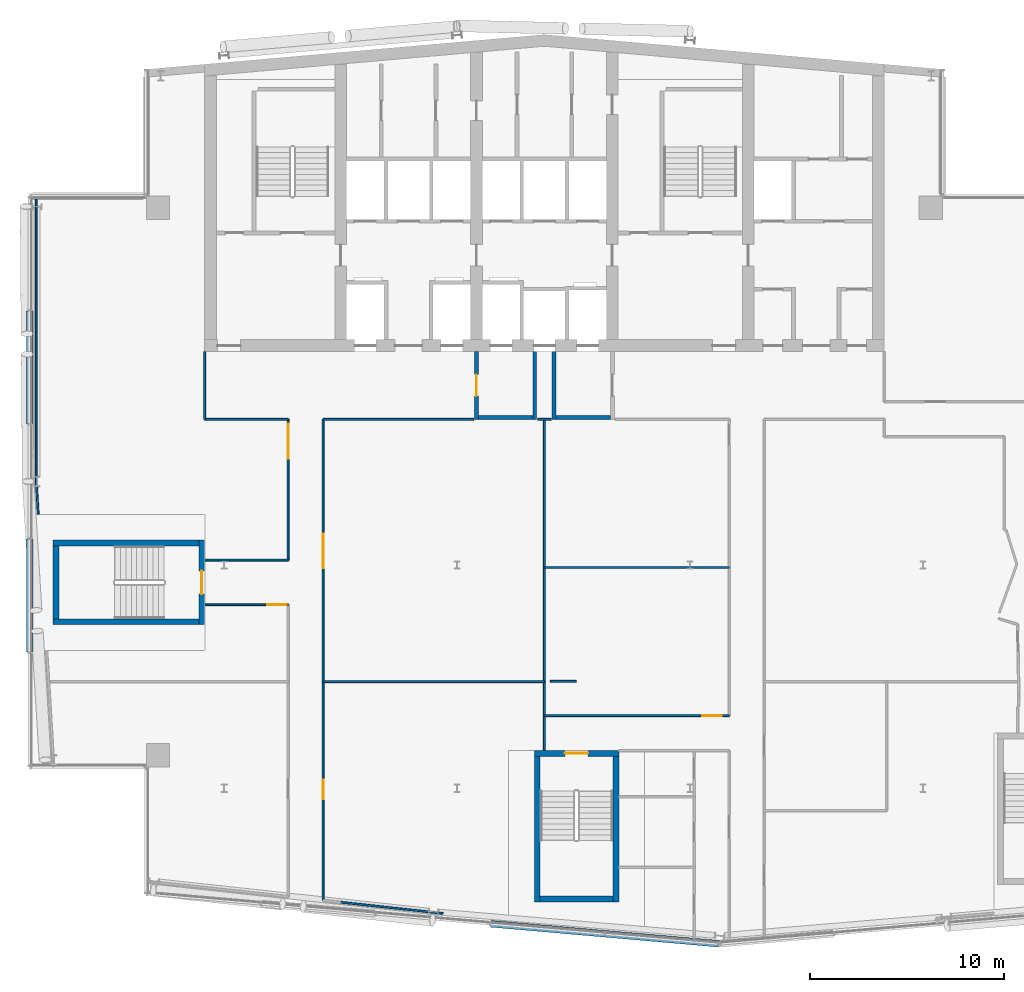
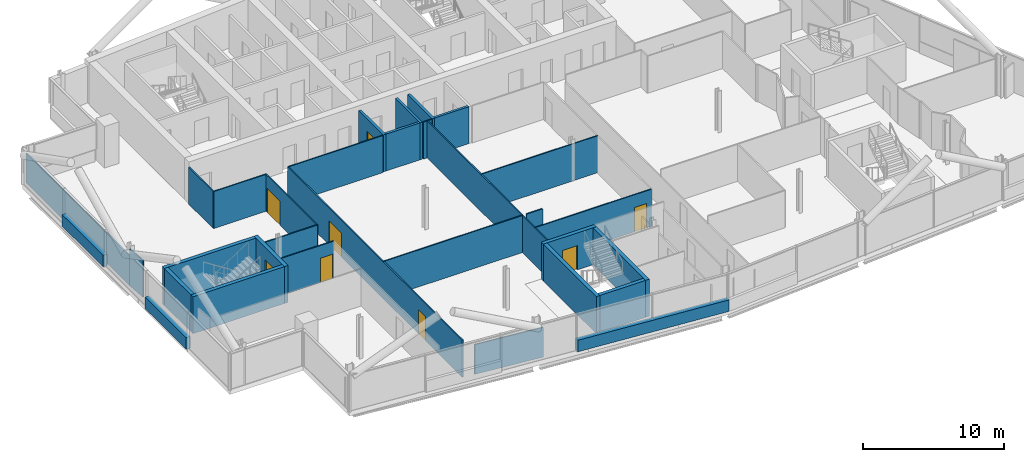
# One storey, part 15 of 28: 32 walls, 8 doors, 8 openings.
"""IFC4 building model written with IfcOpenShell, lengths in metres."""

from ifc_helpers import new_model, si_unit, direction, frame, frame_2d, origin, place, context, subcontext, project, spatial, rectangle, extrude, material, layer, layer_set, type_object, element, fill, save


model = new_model("IFC4")

# Units and contexts
model_context = context("Model", 3, precision=1e-05, world=origin(), true_north=direction((0.0, 1.0)))
body_context = subcontext(model_context, "Body", "Model", "MODEL_VIEW")
ifc_project = project(units=[si_unit("LENGTHUNIT", "METRE"), si_unit("AREAUNIT", "SQUARE_METRE"), si_unit("VOLUMEUNIT", "CUBIC_METRE"), si_unit("PLANEANGLEUNIT", "RADIAN"), si_unit("MASSUNIT", "GRAM", prefix="KILO")], contexts=[model_context])

# Site, building, storey
site_placement = place(None, origin())
site = spatial("IfcSite", under=ifc_project, at=site_placement, CompositionType="ELEMENT")
building_placement = place(site_placement, origin())
building = spatial("IfcBuilding", under=site, at=building_placement, Name="Wharfspan Tower", CompositionType="ELEMENT")
storey_placement = place(building_placement, frame((0.0, 0.0, 250.300049)))
storey = spatial("IfcBuildingStorey", under=building, at=storey_placement, Name="L63", CompositionType="ELEMENT", Elevation=250.300049)

# Walls
ifc_material_1 = material(Name="Gypsum board on steel studs", Category="steel")
ifc_layer_1 = layer(ifc_material_1, 0.100098)
ifc_layer_set_1 = layer_set([ifc_layer_1], Name="Gypsum board on steel studs")
wall_type_1 = type_object("IfcWallType", Name="Compartment wall 100 EI 60", PredefinedType="PARTITIONING", material=ifc_layer_set_1)
wall_1_placement = place(storey_placement, frame((23.0, 30.5, 0.0), z_axis=(0.0, 0.0, 1.0), x_axis=(0.0, 1.0, 0.0)))
element("IfcWall", 1, at=wall_1_placement, inside=storey, type_object=wall_type_1, Name="Partition L63.w006", PredefinedType="PARTITIONING", context=body_context, shape_type="SweptSolid", body=[
    extrude(rectangle(XDim=3.47998, YDim=0.100098, at=frame_2d((1.73999, 0.0))), origin(), (0.0, 0.0, 1.0), 3.199951),
])
wall_2_placement = place(storey_placement, frame((23.0, 30.5, 0.0), z_axis=(0.0, 0.0, 1.0), x_axis=(1.0, 0.0, 0.0)))
element("IfcWall", 2, at=wall_2_placement, inside=storey, type_object=wall_type_1, Name="Partition L63.w007", PredefinedType="PARTITIONING", context=body_context, shape_type="SweptSolid", body=[
    extrude(rectangle(XDim=4.300049, YDim=0.100098, at=frame_2d((2.149902, 0.0))), origin(), (0.0, 0.0, 1.0), 3.199951),
])

# Wall, opening, door
wall_3_placement = place(storey_placement, frame((23.02002, 20.949951, 0.0), z_axis=(0.0, 0.0, 1.0), x_axis=(1.0, 0.0, 0.0)))
wall_3 = element("IfcWall", 3, at=wall_3_placement, inside=storey, type_object=wall_type_1, Name="Partition L63.w008", PredefinedType="PARTITIONING", context=body_context, shape_type="SweptSolid", body=[
    extrude(rectangle(XDim=4.280029, YDim=0.100098, at=frame_2d((2.140137, 0.0))), origin(), (0.0, 0.0, 1.0), 3.199951),
])
opening_1_placement = place(wall_3_placement, frame((3.199951, 0.0, 0.0)))
opening_1 = element("IfcOpeningElement", 4, at=opening_1_placement, cuts=wall_3, Name="Opening D6-13", PredefinedType="OPENING", context=body_context, shape_type="SweptSolid", body=[
    extrude(rectangle(XDim=1.0, YDim=2.100098, at=frame_2d((0.5, 1.050049))), frame((0.0, 0.060059, 0.0), z_axis=(0.0, -1.0, 0.0), x_axis=(1.0, 0.0, 0.0)), (0.0, 0.0, 1.0), 0.120117),
])
ifc_material_2 = material(Name="Fire-rated timber door leaf in steel frame", Category="steel")
door_type_1 = type_object("IfcDoorType", Name="Door 1000 FD30S Right", OperationType="SINGLE_SWING_RIGHT", PredefinedType="DOOR", material=ifc_material_2)
door_1_placement = place(opening_1_placement, origin())
door_1 = element("IfcDoor", 5, at=door_1_placement, inside=storey, type_object=door_type_1, Name="Door D6-13", OperationType="SINGLE_SWING_RIGHT", OverallHeight=2.100098, OverallWidth=1.0, PredefinedType="DOOR", context=body_context, shape_type="SweptSolid", body=[
    extrude(rectangle(XDim=1.0, YDim=2.100098, at=frame_2d((0.5, 1.050049))), frame((0.0, 0.024902, 0.0), z_axis=(0.0, -1.0, 0.0), x_axis=(1.0, 0.0, 0.0)), (0.0, 0.0, 1.0), 0.050049),
])
fill(opening_1, door_1)

# Wall
wall_4_placement = place(storey_placement, frame((23.02002, 23.25, 0.0), z_axis=(0.0, 0.0, 1.0), x_axis=(1.0, 0.0, 0.0)))
element("IfcWall", 6, at=wall_4_placement, inside=storey, type_object=wall_type_1, Name="Partition L63.w009", PredefinedType="PARTITIONING", context=body_context, shape_type="SweptSolid", body=[
    extrude(rectangle(XDim=4.274902, YDim=0.100098, at=frame_2d((2.137451, 0.0))), origin(), (0.0, 0.0, 1.0), 3.199951),
])

# Wall, opening, door
wall_5_placement = place(storey_placement, frame((27.300049, 23.25, 0.0), z_axis=(0.0, 0.0, 1.0), x_axis=(0.0, 1.0, 0.0)))
wall_5 = element("IfcWall", 7, at=wall_5_placement, inside=storey, type_object=wall_type_1, Name="Partition L63.w011", PredefinedType="PARTITIONING", context=body_context, shape_type="SweptSolid", body=[
    extrude(rectangle(XDim=7.25, YDim=0.100098, at=frame_2d((3.625, 0.0))), origin(), (0.0, 0.0, 1.0), 3.199951),
])
opening_2_placement = place(wall_5_placement, frame((5.22998, 0.0, 0.0)))
opening_2 = element("IfcOpeningElement", 8, at=opening_2_placement, cuts=wall_5, Name="Opening D6-15", PredefinedType="OPENING", context=body_context, shape_type="SweptSolid", body=[
    extrude(rectangle(XDim=1.800049, YDim=2.100098, at=frame_2d((0.899902, 1.050049))), frame((0.0, 0.060059, 0.0), z_axis=(0.0, -1.0, 0.0), x_axis=(1.0, 0.0, 0.0)), (0.0, 0.0, 1.0), 0.120117),
])
door_type_2 = type_object("IfcDoorType", Name="Door 1800 FD30S Double", OperationType="DOUBLE_DOOR_SINGLE_SWING", PredefinedType="DOOR", material=ifc_material_2)
door_2_placement = place(opening_2_placement, origin())
door_2 = element("IfcDoor", 9, at=door_2_placement, inside=storey, type_object=door_type_2, Name="Door D6-15", OperationType="DOUBLE_DOOR_SINGLE_SWING", OverallHeight=2.100098, OverallWidth=1.800049, PredefinedType="DOOR", context=body_context, shape_type="SweptSolid", body=[
    extrude(rectangle(XDim=1.800049, YDim=2.100098, at=frame_2d((0.899902, 1.050049))), frame((0.0, 0.024902, 0.0), z_axis=(0.0, -1.0, 0.0), x_axis=(1.0, 0.0, 0.0)), (0.0, 0.0, 1.0), 0.050049),
])
fill(opening_2, door_2)

# Wall, openings, doors
wall_6_placement = place(storey_placement, frame((29.100098, 5.725098, 0.0), z_axis=(0.0, 0.0, 1.0), x_axis=(0.0, 1.0, 0.0)))
wall_6 = element("IfcWall", 10, at=wall_6_placement, inside=storey, type_object=wall_type_1, Name="Partition L63.w013", PredefinedType="PARTITIONING", context=body_context, shape_type="SweptSolid", body=[
    extrude(rectangle(XDim=24.774902, YDim=0.100098, at=frame_2d((12.387451, 0.0))), origin(), (0.0, 0.0, 1.0), 3.199951),
])
opening_3_placement = place(wall_6_placement, frame((5.219971, 0.0, 0.0)))
opening_3 = element("IfcOpeningElement", 11, at=opening_3_placement, cuts=wall_6, Name="Opening D6-06", PredefinedType="OPENING", context=body_context, shape_type="SweptSolid", body=[
    extrude(rectangle(XDim=1.0, YDim=2.100098, at=frame_2d((0.5, 1.050049))), frame((0.0, 0.060059, 0.0), z_axis=(0.0, -1.0, 0.0), x_axis=(1.0, 0.0, 0.0)), (0.0, 0.0, 1.0), 0.120117),
])
opening_4_placement = place(wall_6_placement, frame((17.094971, 0.0, 0.0)))
opening_4 = element("IfcOpeningElement", 12, at=opening_4_placement, cuts=wall_6, Name="Opening D6-14", PredefinedType="OPENING", context=body_context, shape_type="SweptSolid", body=[
    extrude(rectangle(XDim=1.800049, YDim=2.100098, at=frame_2d((0.899902, 1.050049))), frame((0.0, 0.060059, 0.0), z_axis=(0.0, -1.0, 0.0), x_axis=(1.0, 0.0, 0.0)), (0.0, 0.0, 1.0), 0.120117),
])
door_type_3 = type_object("IfcDoorType", Name="Door 1000 FD30S Left", OperationType="SINGLE_SWING_LEFT", PredefinedType="DOOR", material=ifc_material_2)
door_3_placement = place(opening_3_placement, origin())
door_3 = element("IfcDoor", 13, at=door_3_placement, inside=storey, type_object=door_type_3, Name="Door D6-06", OperationType="SINGLE_SWING_LEFT", OverallHeight=2.100098, OverallWidth=1.0, PredefinedType="DOOR", context=body_context, shape_type="SweptSolid", body=[
    extrude(rectangle(XDim=1.0, YDim=2.100098, at=frame_2d((0.5, 1.050049))), frame((0.0, 0.024902, 0.0), z_axis=(0.0, -1.0, 0.0), x_axis=(1.0, 0.0, 0.0)), (0.0, 0.0, 1.0), 0.050049),
])
fill(opening_3, door_3)
door_4_placement = place(opening_4_placement, origin())
door_4 = element("IfcDoor", 14, at=door_4_placement, inside=storey, type_object=door_type_2, Name="Door D6-14", OperationType="DOUBLE_DOOR_SINGLE_SWING", OverallHeight=2.100098, OverallWidth=1.800049, PredefinedType="DOOR", context=body_context, shape_type="SweptSolid", body=[
    extrude(rectangle(XDim=1.800049, YDim=2.100098, at=frame_2d((0.899902, 1.050049))), frame((0.0, 0.024902, 0.0), z_axis=(0.0, -1.0, 0.0), x_axis=(1.0, 0.0, 0.0)), (0.0, 0.0, 1.0), 0.050049),
])
fill(opening_4, door_4)

# Walls
wall_7_placement = place(storey_placement, frame((29.100098, 16.995117, 0.0), z_axis=(0.0, 0.0, 1.0), x_axis=(1.0, 0.0, 0.0)))
element("IfcWall", 15, at=wall_7_placement, inside=storey, type_object=wall_type_1, Name="Partition L63.w014", PredefinedType="PARTITIONING", context=body_context, shape_type="SweptSolid", body=[
    extrude(rectangle(XDim=11.399902, YDim=0.100098, at=frame_2d((5.699951, 0.0))), origin(), (0.0, 0.0, 1.0), 3.199951),
])
wall_8_placement = place(storey_placement, frame((29.100098, 30.5, 0.0), z_axis=(0.0, 0.0, 1.0), x_axis=(1.0, 0.0, 0.0)))
element("IfcWall", 16, at=wall_8_placement, inside=storey, type_object=wall_type_1, Name="Partition L63.w015", PredefinedType="PARTITIONING", context=body_context, shape_type="SweptSolid", body=[
    extrude(rectangle(XDim=7.75, YDim=0.100098, at=frame_2d((3.875, 0.0))), origin(), (0.0, 0.0, 1.0), 3.199951),
])
wall_9_placement = place(storey_placement, frame((40.5, 13.463135, 0.0), z_axis=(0.0, 0.0, 1.0), x_axis=(0.0, 1.0, 0.0)))
element("IfcWall", 17, at=wall_9_placement, inside=storey, type_object=wall_type_1, Name="Partition L63.w018", PredefinedType="PARTITIONING", context=body_context, shape_type="SweptSolid", body=[
    extrude(rectangle(XDim=17.036865, YDim=0.100098, at=frame_2d((8.518555, 0.0))), origin(), (0.0, 0.0, 1.0), 3.199951),
])

# Wall, opening, door
wall_10_placement = place(storey_placement, frame((40.5, 15.245117, 0.0), z_axis=(0.0, 0.0, 1.0), x_axis=(1.0, 0.0, 0.0)))
wall_10 = element("IfcWall", 18, at=wall_10_placement, inside=storey, type_object=wall_type_1, Name="Partition L63.w019", PredefinedType="PARTITIONING", context=body_context, shape_type="SweptSolid", body=[
    extrude(rectangle(XDim=9.52002, YDim=0.100098, at=frame_2d((4.76001, 0.0))), origin(), (0.0, 0.0, 1.0), 3.199951),
])
opening_5_placement = place(wall_10_placement, frame((8.125, 0.0, 0.0)))
opening_5 = element("IfcOpeningElement", 19, at=opening_5_placement, cuts=wall_10, Name="Opening D6-10", PredefinedType="OPENING", context=body_context, shape_type="SweptSolid", body=[
    extrude(rectangle(XDim=1.0, YDim=2.100098, at=frame_2d((0.5, 1.050049))), frame((0.0, 0.060059, 0.0), z_axis=(0.0, -1.0, 0.0), x_axis=(1.0, 0.0, 0.0)), (0.0, 0.0, 1.0), 0.120117),
])
door_5_placement = place(opening_5_placement, origin())
door_5 = element("IfcDoor", 20, at=door_5_placement, inside=storey, type_object=door_type_1, Name="Door D6-10", OperationType="SINGLE_SWING_RIGHT", OverallHeight=2.100098, OverallWidth=1.0, PredefinedType="DOOR", context=body_context, shape_type="SweptSolid", body=[
    extrude(rectangle(XDim=1.0, YDim=2.100098, at=frame_2d((0.5, 1.050049))), frame((0.0, 0.024902, 0.0), z_axis=(0.0, -1.0, 0.0), x_axis=(1.0, 0.0, 0.0)), (0.0, 0.0, 1.0), 0.050049),
])
fill(opening_5, door_5)

# Walls
wall_11_placement = place(storey_placement, frame((40.5, 22.870117, 0.0), z_axis=(0.0, 0.0, 1.0), x_axis=(1.0, 0.0, 0.0)))
element("IfcWall", 21, at=wall_11_placement, inside=storey, type_object=wall_type_1, Name="Partition L63.w020", PredefinedType="PARTITIONING", context=body_context, shape_type="SweptSolid", body=[
    extrude(rectangle(XDim=9.52002, YDim=0.100098, at=frame_2d((4.76001, 0.0))), origin(), (0.0, 0.0, 1.0), 3.199951),
])
wall_12_placement = place(storey_placement, frame((40.149902, 30.5, 0.0), z_axis=(0.0, 0.0, 1.0), x_axis=(1.0, 0.0, 0.0)))
element("IfcWall", 22, at=wall_12_placement, inside=storey, type_object=wall_type_1, Name="Partition L63.w015 (2)", PredefinedType="PARTITIONING", context=body_context, shape_type="SweptSolid", body=[
    extrude(rectangle(XDim=0.700195, YDim=0.100098, at=frame_2d((0.350098, 0.0))), origin(), (0.0, 0.0, 1.0), 3.199951),
])

# Wall, opening, door
ifc_material_3 = material(Name="Concrete C30/37", Category="concrete")
ifc_layer_2 = layer(ifc_material_3, 0.199951)
ifc_layer_set_2 = layer_set([ifc_layer_2], Name="Concrete C30/37")
wall_type_2 = type_object("IfcWallType", Name="Lobby wall 200", PredefinedType="PARTITIONING", material=ifc_layer_set_2)
wall_13_placement = place(storey_placement, frame((37.0, 30.5, 0.0), z_axis=(0.0, 0.0, 1.0), x_axis=(0.0, 1.0, 0.0)))
wall_13 = element("IfcWall", 23, at=wall_13_placement, inside=storey, type_object=wall_type_2, Name="sw:L63:FLFF1W", PredefinedType="PARTITIONING", context=body_context, shape_type="SweptSolid", body=[
    extrude(rectangle(XDim=3.5, YDim=0.199951, at=frame_2d((1.75, 0.0))), origin(), (0.0, 0.0, 1.0), 3.199951),
])
opening_6_placement = place(wall_13_placement, frame((1.199951, 0.0, 0.0)))
opening_6 = element("IfcOpeningElement", 24, at=opening_6_placement, cuts=wall_13, Name="Opening FL.FF1.L63", PredefinedType="OPENING", context=body_context, shape_type="SweptSolid", body=[
    extrude(rectangle(XDim=1.100098, YDim=2.100098, at=frame_2d((0.550049, 1.050049))), frame((0.0, 0.109863, 0.0), z_axis=(0.0, -1.0, 0.0), x_axis=(1.0, 0.0, 0.0)), (0.0, 0.0, 1.0), 0.219971),
])
ifc_material_4 = material(Name="Steel door leaf", Category="steel")
door_type_4 = type_object("IfcDoorType", Name="Firefighting lobby door 1100x2100", OperationType="SINGLE_SWING_LEFT", PredefinedType="DOOR", material=ifc_material_4)
door_6_placement = place(opening_6_placement, origin())
door_6 = element("IfcDoor", 25, at=door_6_placement, inside=storey, type_object=door_type_4, Name="fd:L63:FF1", OperationType="SINGLE_SWING_LEFT", OverallHeight=2.100098, OverallWidth=1.100098, PredefinedType="DOOR", context=body_context, shape_type="SweptSolid", body=[
    extrude(rectangle(XDim=1.100098, YDim=2.100098, at=frame_2d((0.550049, 1.050049))), frame((0.0, 0.024902, 0.0), z_axis=(0.0, -1.0, 0.0), x_axis=(1.0, 0.0, 0.0)), (0.0, 0.0, 1.0), 0.050049),
])
fill(opening_6, door_6)

# Walls
wall_14_placement = place(storey_placement, frame((40.0, 30.5, 0.0), z_axis=(0.0, 0.0, 1.0), x_axis=(0.0, 1.0, 0.0)))
element("IfcWall", 26, at=wall_14_placement, inside=storey, type_object=wall_type_2, Name="sw:L63:FLFF1E", PredefinedType="PARTITIONING", context=body_context, shape_type="SweptSolid", body=[
    extrude(rectangle(XDim=3.5, YDim=0.199951, at=frame_2d((1.75, 0.0))), origin(), (0.0, 0.0, 1.0), 3.199951),
])
wall_15_placement = place(storey_placement, frame((37.100098, 30.600098, 0.0), z_axis=(0.0, 0.0, 1.0), x_axis=(1.0, 0.0, 0.0)))
element("IfcWall", 27, at=wall_15_placement, inside=storey, type_object=wall_type_2, Name="sw:L63:FLFF1F", PredefinedType="PARTITIONING", context=body_context, shape_type="SweptSolid", body=[
    extrude(rectangle(XDim=2.799805, YDim=0.199951, at=frame_2d((1.399902, 0.0))), origin(), (0.0, 0.0, 1.0), 3.199951),
])
wall_16_placement = place(storey_placement, frame((41.0, 30.5, 0.0), z_axis=(0.0, 0.0, 1.0), x_axis=(0.0, 1.0, 0.0)))
element("IfcWall", 28, at=wall_16_placement, inside=storey, type_object=wall_type_2, Name="sw:L63:FLFF2W", PredefinedType="PARTITIONING", context=body_context, shape_type="SweptSolid", body=[
    extrude(rectangle(XDim=3.5, YDim=0.199951, at=frame_2d((1.75, 0.0))), origin(), (0.0, 0.0, 1.0), 3.199951),
])
wall_17_placement = place(storey_placement, frame((41.100098, 30.600098, 0.0), z_axis=(0.0, 0.0, 1.0), x_axis=(1.0, 0.0, 0.0)))
element("IfcWall", 29, at=wall_17_placement, inside=storey, type_object=wall_type_2, Name="sw:L63:FLFF2F", PredefinedType="PARTITIONING", context=body_context, shape_type="SweptSolid", body=[
    extrude(rectangle(XDim=2.799805, YDim=0.199951, at=frame_2d((1.399902, 0.0))), origin(), (0.0, 0.0, 1.0), 3.199951),
])
ifc_layer_3 = layer(ifc_material_1, 0.100098)
ifc_layer_set_3 = layer_set([ifc_layer_3], Name="Gypsum board on steel studs")
wall_type_3 = type_object("IfcWallType", Name="Partition 100", PredefinedType="PARTITIONING", material=ifc_layer_set_3)
wall_18_placement = place(storey_placement, frame((14.324951, 27.300049, 0.0), z_axis=(0.0, 0.0, 1.0), x_axis=(0.0, 1.0, 0.0)))
element("IfcWall", 30, at=wall_18_placement, inside=storey, type_object=wall_type_3, Name="Partition L63.w001", PredefinedType="PARTITIONING", context=body_context, shape_type="SweptSolid", body=[
    extrude(rectangle(XDim=14.679932, YDim=0.100098, at=frame_2d((7.339844, 0.0))), origin(), (0.0, 0.0, 1.0), 2.579834),
])
wall_19_placement = place(storey_placement, frame((14.428711, 25.620117, 0.0), z_axis=(0.0, 0.0, 1.0), x_axis=(-0.061647, 0.998101, 0.0)))
element("IfcWall", 31, at=wall_19_placement, inside=storey, type_object=wall_type_3, Name="Partition L63.w002", PredefinedType="PARTITIONING", context=body_context, shape_type="SweptSolid", body=[
    extrude(rectangle(XDim=1.683105, YDim=0.100098, at=frame_2d((0.841553, 0.0))), origin(), (0.0, 0.0, 1.0), 3.199951),
])
wall_20_placement = place(storey_placement, frame((35.274902, 5.054932, 0.0), z_axis=(0.0, 0.0, 1.0), x_axis=(-0.994115, 0.108356, 0.0)))
element("IfcWall", 32, at=wall_20_placement, inside=storey, type_object=wall_type_3, Name="Partition L63.w017", PredefinedType="PARTITIONING", context=body_context, shape_type="SweptSolid", body=[
    extrude(rectangle(XDim=5.306152, YDim=0.100098, at=frame_2d((2.653076, 0.0))), origin(), (0.0, 0.0, 1.0), 2.579834),
])
wall_21_placement = place(storey_placement, frame((40.800049, 17.0, 0.0), z_axis=(0.0, 0.0, 1.0), x_axis=(1.0, 0.0, 0.0)))
element("IfcWall", 33, at=wall_21_placement, inside=storey, type_object=wall_type_3, Name="Partition L63.w021", PredefinedType="PARTITIONING", context=body_context, shape_type="SweptSolid", body=[
    extrude(rectangle(XDim=1.324951, YDim=0.100098, at=frame_2d((0.662598, 0.0))), origin(), (0.0, 0.0, 1.0), 3.199951),
])
ifc_material_5 = material(Name="Concrete C40/50", Category="concrete")
ifc_layer_4 = layer(ifc_material_5, 0.350098)
ifc_layer_set_4 = layer_set([ifc_layer_4], Name="Concrete C40/50")
wall_type_4 = type_object("IfcWallType", Name="SPANDREL EXPOSED CONCRETE 350", PredefinedType="SOLIDWALL", material=ifc_layer_set_4)
wall_22_placement = place(storey_placement, frame((37.729492, 4.519043, 0.0), z_axis=(0.0, 0.0, 1.0), x_axis=(0.99619, -0.087167, 0.0)))
element("IfcWall", 34, at=wall_22_placement, inside=storey, type_object=wall_type_4, Name="Spandrel upstand L63 S1 2", PredefinedType="SOLIDWALL", context=body_context, shape_type="SweptSolid", body=[
    extrude(rectangle(XDim=11.830566, YDim=0.350098, at=frame_2d((5.915283, 0.0))), origin(), (0.0, 0.0, 1.0), 1.0),
])
for number, where, z_axis, x_axis, name in (
    (35, (13.995117, 36.090088, 0.0), (0.0, 0.0, 1.0), (0.0, -1.0, 0.0), "Spandrel upstand L63 W 1"),
    (36, (13.995117, 24.330078, 0.0), (0.0, 0.0, 1.0), (0.0, -1.0, 0.0), "Spandrel upstand L63 W 2"),
):
    element("IfcWall", number, at=place(storey_placement, frame(where, z_axis=z_axis, x_axis=x_axis)), inside=storey, type_object=wall_type_4, Name=name, PredefinedType="SOLIDWALL", context=body_context, shape_type="SweptSolid", body=[
        extrude(rectangle(XDim=5.820068, YDim=0.350098, at=frame_2d((2.910156, 0.0))), origin(), (0.0, 0.0, 1.0), 1.0),
    ])

# Wall, opening, door
ifc_layer_5 = layer(ifc_material_5, 0.300049)
ifc_layer_set_5 = layer_set([ifc_layer_5], Name="Concrete C40/50")
wall_type_5 = type_object("IfcWallType", Name="Stair core wall 300", PredefinedType="SHEAR", material=ifc_layer_set_5)
wall_23_placement = place(storey_placement, frame((22.850098, 19.925049, 0.0), z_axis=(0.0, 0.0, 1.0), x_axis=(0.0, 1.0, 0.0)))
wall_23 = element("IfcWall", 37, at=wall_23_placement, inside=storey, type_object=wall_type_5, Name="ST3 stair enclosure wall L63", PredefinedType="SHEAR", context=body_context, shape_type="SweptSolid", body=[
    extrude(rectangle(XDim=4.349854, YDim=0.300049, at=frame_2d((2.174805, 0.0))), origin(), (0.0, 0.0, 1.0), 3.199951),
])
opening_7_placement = place(wall_23_placement, frame((1.574951, 0.0, 0.0)))
opening_7 = element("IfcOpeningElement", 38, at=opening_7_placement, cuts=wall_23, Name="Opening SD3.L63", PredefinedType="OPENING", context=body_context, shape_type="SweptSolid", body=[
    extrude(rectangle(XDim=1.199951, YDim=2.100098, at=frame_2d((0.600098, 1.050049))), frame((0.0, 0.159912, 0.0), z_axis=(0.0, -1.0, 0.0), x_axis=(1.0, 0.0, 0.0)), (0.0, 0.0, 1.0), 0.320068),
])
door_type_5 = type_object("IfcDoorType", Name="Stair door 1200x2100", OperationType="SINGLE_SWING_LEFT", PredefinedType="DOOR", material=ifc_material_4)
door_7_placement = place(opening_7_placement, origin())
door_7 = element("IfcDoor", 39, at=door_7_placement, inside=storey, type_object=door_type_5, Name="sd:L63:ST3z4", OperationType="SINGLE_SWING_RIGHT", OverallHeight=2.100098, OverallWidth=1.199951, PredefinedType="DOOR", context=body_context, shape_type="SweptSolid", body=[
    extrude(rectangle(XDim=1.199951, YDim=2.100098, at=frame_2d((0.600098, 1.050049))), frame((0.0, 0.024902, 0.0), z_axis=(0.0, -1.0, 0.0), x_axis=(1.0, 0.0, 0.0)), (0.0, 0.0, 1.0), 0.050049),
])
fill(opening_7, door_7)

wall_24_placement = place(storey_placement, frame((39.977051, 13.293213, 0.0), z_axis=(0.0, 0.0, 1.0), x_axis=(1.0, 0.0, 0.0)))
wall_24 = element("IfcWall", 40, at=wall_24_placement, inside=storey, type_object=wall_type_5, Name="ST4 stair enclosure wall L63", PredefinedType="SHEAR", context=body_context, shape_type="SweptSolid", body=[
    extrude(rectangle(XDim=4.350098, YDim=0.300049, at=frame_2d((2.175049, 0.0))), origin(), (0.0, 0.0, 1.0), 3.199951),
])
opening_8_placement = place(wall_24_placement, frame((1.574951, 0.0, 0.0)))
opening_8 = element("IfcOpeningElement", 41, at=opening_8_placement, cuts=wall_24, Name="Opening SD4.L63", PredefinedType="OPENING", context=body_context, shape_type="SweptSolid", body=[
    extrude(rectangle(XDim=1.199951, YDim=2.100098, at=frame_2d((0.600098, 1.050049))), frame((0.0, 0.159912, 0.0), z_axis=(0.0, -1.0, 0.0), x_axis=(1.0, 0.0, 0.0)), (0.0, 0.0, 1.0), 0.320068),
])
door_8_placement = place(opening_8_placement, origin())
door_8 = element("IfcDoor", 42, at=door_8_placement, inside=storey, type_object=door_type_5, Name="sd:L63:ST4z4", OperationType="SINGLE_SWING_RIGHT", OverallHeight=2.100098, OverallWidth=1.199951, PredefinedType="DOOR", context=body_context, shape_type="SweptSolid", body=[
    extrude(rectangle(XDim=1.199951, YDim=2.100098, at=frame_2d((0.600098, 1.050049))), frame((0.0, 0.024902, 0.0), z_axis=(0.0, -1.0, 0.0), x_axis=(1.0, 0.0, 0.0)), (0.0, 0.0, 1.0), 0.050049),
])
fill(opening_8, door_8)

# Walls
for number, where, z_axis, x_axis, name in (
    (43, (15.199951, 20.074951, 0.0), (0.0, 0.0, 1.0), (1.0, 0.0, 0.0), "ST3 stair enclosure wall L63"),
    (44, (15.199951, 24.125, 0.0), (0.0, 0.0, 1.0), (1.0, 0.0, 0.0), "ST3 stair enclosure wall L63"),
):
    element("IfcWall", number, at=place(storey_placement, frame(where, z_axis=z_axis, x_axis=x_axis)), inside=storey, type_object=wall_type_5, Name=name, PredefinedType="SHEAR", context=body_context, shape_type="SweptSolid", body=[
        extrude(rectangle(XDim=7.5, YDim=0.300049, at=frame_2d((3.75, 0.0))), origin(), (0.0, 0.0, 1.0), 3.199951),
    ])
wall_25_placement = place(storey_placement, frame((15.350098, 20.225098, 0.0), z_axis=(0.0, 0.0, 1.0), x_axis=(0.0, 1.0, 0.0)))
element("IfcWall", 45, at=wall_25_placement, inside=storey, type_object=wall_type_5, Name="ST3 stair enclosure wall L63", PredefinedType="SHEAR", context=body_context, shape_type="SweptSolid", body=[
    extrude(rectangle(XDim=3.75, YDim=0.300049, at=frame_2d((1.875, 0.0))), origin(), (0.0, 0.0, 1.0), 3.199951),
])
for number, where, z_axis, x_axis, name in (
    (46, (40.127197, 5.643311, 0.0), (0.0, 0.0, 1.0), (0.0, 1.0, 0.0), "ST4 stair enclosure wall L63"),
    (47, (44.177002, 5.643311, 0.0), (0.0, 0.0, 1.0), (0.0, 1.0, 0.0), "ST4 stair enclosure wall L63"),
):
    element("IfcWall", number, at=place(storey_placement, frame(where, z_axis=z_axis, x_axis=x_axis)), inside=storey, type_object=wall_type_5, Name=name, PredefinedType="SHEAR", context=body_context, shape_type="SweptSolid", body=[
        extrude(rectangle(XDim=7.5, YDim=0.300049, at=frame_2d((3.75, 0.0))), origin(), (0.0, 0.0, 1.0), 3.199951),
    ])
wall_26_placement = place(storey_placement, frame((40.2771, 5.793213, 0.0), z_axis=(0.0, 0.0, 1.0), x_axis=(1.0, 0.0, 0.0)))
element("IfcWall", 48, at=wall_26_placement, inside=storey, type_object=wall_type_5, Name="ST4 stair enclosure wall L63", PredefinedType="SHEAR", context=body_context, shape_type="SweptSolid", body=[
    extrude(rectangle(XDim=3.75, YDim=0.300049, at=frame_2d((1.875, 0.0))), origin(), (0.0, 0.0, 1.0), 3.199951),
])

save(model, "model.ifc")
